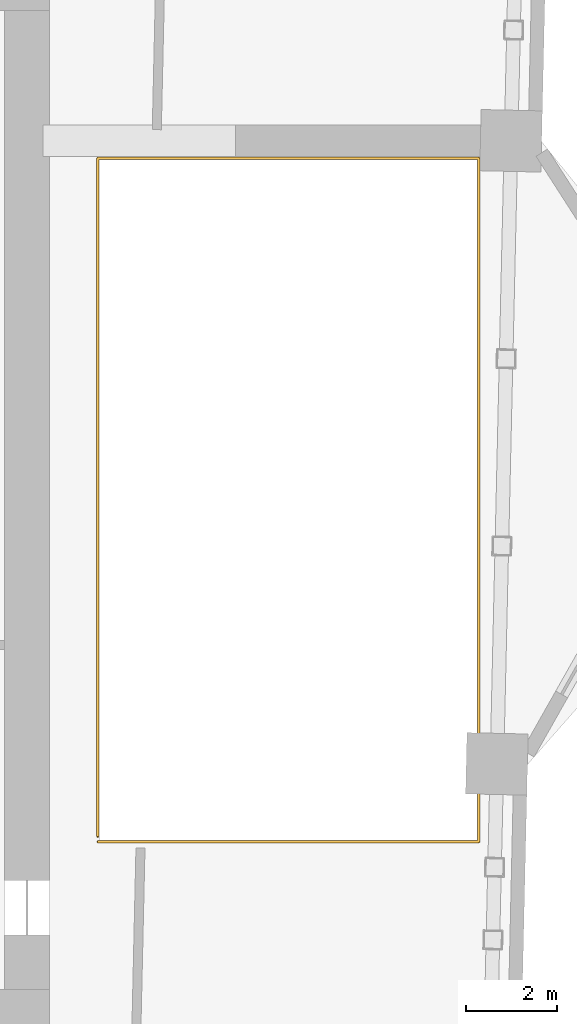
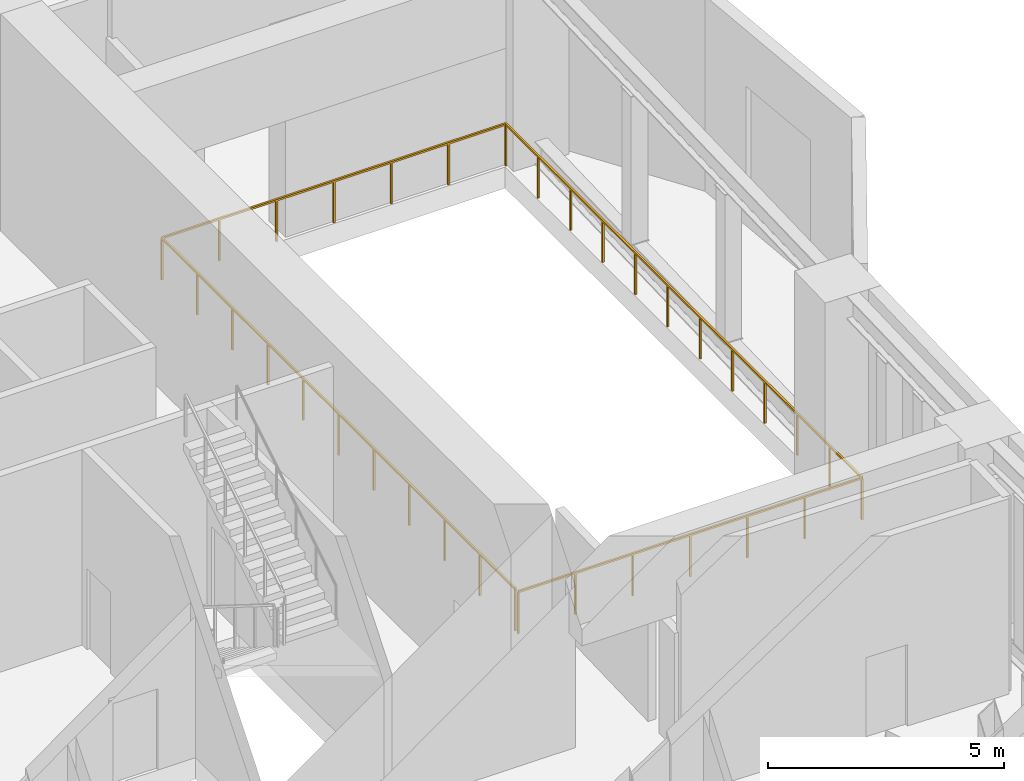
# One storey, part 12 of 13: 1 railing.
"""IFC4 building model written with IfcOpenShell, lengths in metres."""

from ifc_helpers import new_model, si_unit, direction, frame, origin, origin_2d, place, context, subcontext, project, spatial, rectangle, extrude, material, type_object, element, save


model = new_model("IFC4")

# Units and contexts
model_context = context("Model", 3, precision=1e-05, world=origin(), true_north=direction((0.0, 1.0)))
body_context = subcontext(model_context, "Body", "Model", "MODEL_VIEW")
ifc_project = project(units=[si_unit("LENGTHUNIT", "METRE"), si_unit("AREAUNIT", "SQUARE_METRE"), si_unit("VOLUMEUNIT", "CUBIC_METRE"), si_unit("PLANEANGLEUNIT", "RADIAN"), si_unit("MASSUNIT", "GRAM", prefix="KILO")], contexts=[model_context])

# Site, building, storey
site_placement = place(None, origin())
site = spatial("IfcSite", under=ifc_project, at=site_placement, CompositionType="ELEMENT")
building_placement = place(site_placement, origin())
building = spatial("IfcBuilding", under=site, at=building_placement, Name="Mangrove Gate Tower", CompositionType="ELEMENT")
storey_placement = place(building_placement, frame((0.0, 0.0, 119.89990234375)))
storey = spatial("IfcBuildingStorey", under=building, at=storey_placement, Name="L30", CompositionType="ELEMENT", Elevation=119.89990234375)

# Railing
ifc_material = material(Name="Stainless steel grade 316 with laminated glass infill", Category="steel")
railing_type = type_object("IfcRailingType", Name="Balcony guard 1100", PredefinedType="GUARDRAIL", material=ifc_material)
railing_placement = place(storey_placement, frame((15.860107421875, -7.5400390625, 0.0)))
element("IfcRailing", 1, at=railing_placement, inside=storey, type_object=railing_type, Name="GUARD L30 atrium", PredefinedType="GUARDRAIL", context=body_context, shape_type="SweptSolid", body=[
    extrude(rectangle(XDim=0.048095703125, YDim=0.048095703125, at=origin_2d()), frame((0.0, 0.0, 1.076171875), z_axis=(1.0, 0.0, 0.0), x_axis=(0.0, 1.0, 0.0)), (0.0, 0.0, 1.0), 8.406982421875),
    extrude(rectangle(XDim=0.048095703125, YDim=0.048095703125, at=origin_2d()), frame((8.406982421875, 0.0, 1.076171875), z_axis=(0.0, 1.0, 0.0), x_axis=(-1.0, 0.0, 0.0)), (0.0, 0.0, 1.0), 15.080078125),
    extrude(rectangle(XDim=0.048095703125, YDim=0.048095703125, at=origin_2d()), frame((8.406982421875, 15.080078125, 1.076171875), z_axis=(-1.0, 0.0, 0.0), x_axis=(0.0, -1.0, 0.0)), (0.0, 0.0, 1.0), 8.406982421875),
    extrude(rectangle(XDim=0.048095703125, YDim=0.048095703125, at=origin_2d()), frame((0.0, 15.080078125, 1.076171875), z_axis=(0.0, -1.0, 0.0), x_axis=(1.0, 0.0, 0.0)), (0.0, 0.0, 1.0), 14.9599609375),
    extrude(rectangle(XDim=0.0419921875, YDim=0.0419921875, at=origin_2d()), origin(), (0.0, 0.0, 1.0), 1.052001953125),
    extrude(rectangle(XDim=0.0419921875, YDim=0.0419921875, at=origin_2d()), frame((1.401123046875, 0.0, 0.0)), (0.0, 0.0, 1.0), 1.052001953125),
    extrude(rectangle(XDim=0.0419921875, YDim=0.0419921875, at=origin_2d()), frame((2.80224609375, 0.0, 0.0)), (0.0, 0.0, 1.0), 1.052001953125),
    extrude(rectangle(XDim=0.0419921875, YDim=0.0419921875, at=origin_2d()), frame((4.20361328125, 0.0, 0.0)), (0.0, 0.0, 1.0), 1.052001953125),
    extrude(rectangle(XDim=0.0419921875, YDim=0.0419921875, at=origin_2d()), frame((5.604736328125, 0.0, 0.0)), (0.0, 0.0, 1.0), 1.052001953125),
    extrude(rectangle(XDim=0.0419921875, YDim=0.0419921875, at=origin_2d()), frame((7.005859375, 0.0, 0.0)), (0.0, 0.0, 1.0), 1.052001953125),
    extrude(rectangle(XDim=0.0419921875, YDim=0.0419921875, at=origin_2d()), frame((8.406982421875, 0.0, 0.0)), (0.0, 0.0, 1.0), 1.052001953125),
    extrude(rectangle(XDim=0.0419921875, YDim=0.0419921875, at=origin_2d()), frame((8.406982421875, 1.370849609375, 0.0)), (0.0, 0.0, 1.0), 1.052001953125),
    extrude(rectangle(XDim=0.0419921875, YDim=0.0419921875, at=origin_2d()), frame((8.406982421875, 2.741943359375, 0.0)), (0.0, 0.0, 1.0), 1.052001953125),
    extrude(rectangle(XDim=0.0419921875, YDim=0.0419921875, at=origin_2d()), frame((8.406982421875, 4.11279296875, 0.0)), (0.0, 0.0, 1.0), 1.052001953125),
    extrude(rectangle(XDim=0.0419921875, YDim=0.0419921875, at=origin_2d()), frame((8.406982421875, 5.483642578125, 0.0)), (0.0, 0.0, 1.0), 1.052001953125),
    extrude(rectangle(XDim=0.0419921875, YDim=0.0419921875, at=origin_2d()), frame((8.406982421875, 6.8544921875, 0.0)), (0.0, 0.0, 1.0), 1.052001953125),
    extrude(rectangle(XDim=0.0419921875, YDim=0.0419921875, at=origin_2d()), frame((8.406982421875, 8.2255859375, 0.0)), (0.0, 0.0, 1.0), 1.052001953125),
    extrude(rectangle(XDim=0.0419921875, YDim=0.0419921875, at=origin_2d()), frame((8.406982421875, 9.596435546875, 0.0)), (0.0, 0.0, 1.0), 1.052001953125),
    extrude(rectangle(XDim=0.0419921875, YDim=0.0419921875, at=origin_2d()), frame((8.406982421875, 10.96728515625, 0.0)), (0.0, 0.0, 1.0), 1.052001953125),
    extrude(rectangle(XDim=0.0419921875, YDim=0.0419921875, at=origin_2d()), frame((8.406982421875, 12.338134765625, 0.0)), (0.0, 0.0, 1.0), 1.052001953125),
    extrude(rectangle(XDim=0.0419921875, YDim=0.0419921875, at=origin_2d()), frame((8.406982421875, 13.709228515625, 0.0)), (0.0, 0.0, 1.0), 1.052001953125),
    extrude(rectangle(XDim=0.0419921875, YDim=0.0419921875, at=origin_2d()), frame((8.406982421875, 15.080078125, 0.0)), (0.0, 0.0, 1.0), 1.052001953125),
    extrude(rectangle(XDim=0.0419921875, YDim=0.0419921875, at=origin_2d()), frame((7.005859375, 15.080078125, 0.0)), (0.0, 0.0, 1.0), 1.052001953125),
    extrude(rectangle(XDim=0.0419921875, YDim=0.0419921875, at=origin_2d()), frame((5.604736328125, 15.080078125, 0.0)), (0.0, 0.0, 1.0), 1.052001953125),
    extrude(rectangle(XDim=0.0419921875, YDim=0.0419921875, at=origin_2d()), frame((4.20361328125, 15.080078125, 0.0)), (0.0, 0.0, 1.0), 1.052001953125),
    extrude(rectangle(XDim=0.0419921875, YDim=0.0419921875, at=origin_2d()), frame((2.80224609375, 15.080078125, 0.0)), (0.0, 0.0, 1.0), 1.052001953125),
    extrude(rectangle(XDim=0.0419921875, YDim=0.0419921875, at=origin_2d()), frame((1.401123046875, 15.080078125, 0.0)), (0.0, 0.0, 1.0), 1.052001953125),
    extrude(rectangle(XDim=0.0419921875, YDim=0.0419921875, at=origin_2d()), frame((0.0, 15.080078125, 0.0)), (0.0, 0.0, 1.0), 1.052001953125),
    extrude(rectangle(XDim=0.0419921875, YDim=0.0419921875, at=origin_2d()), frame((0.0, 13.583984375, 0.0)), (0.0, 0.0, 1.0), 1.052001953125),
    extrude(rectangle(XDim=0.0419921875, YDim=0.0419921875, at=origin_2d()), frame((0.0, 12.088134765625, 0.0)), (0.0, 0.0, 1.0), 1.052001953125),
    extrude(rectangle(XDim=0.0419921875, YDim=0.0419921875, at=origin_2d()), frame((0.0, 10.592041015625, 0.0)), (0.0, 0.0, 1.0), 1.052001953125),
    extrude(rectangle(XDim=0.0419921875, YDim=0.0419921875, at=origin_2d()), frame((0.0, 9.09619140625, 0.0)), (0.0, 0.0, 1.0), 1.052001953125),
    extrude(rectangle(XDim=0.0419921875, YDim=0.0419921875, at=origin_2d()), frame((0.0, 7.60009765625, 0.0)), (0.0, 0.0, 1.0), 1.052001953125),
    extrude(rectangle(XDim=0.0419921875, YDim=0.0419921875, at=origin_2d()), frame((0.0, 6.10400390625, 0.0)), (0.0, 0.0, 1.0), 1.052001953125),
    extrude(rectangle(XDim=0.0419921875, YDim=0.0419921875, at=origin_2d()), frame((0.0, 4.608154296875, 0.0)), (0.0, 0.0, 1.0), 1.052001953125),
    extrude(rectangle(XDim=0.0419921875, YDim=0.0419921875, at=origin_2d()), frame((0.0, 3.112060546875, 0.0)), (0.0, 0.0, 1.0), 1.052001953125),
    extrude(rectangle(XDim=0.0419921875, YDim=0.0419921875, at=origin_2d()), frame((0.0, 1.6162109375, 0.0)), (0.0, 0.0, 1.0), 1.052001953125),
    extrude(rectangle(XDim=0.0419921875, YDim=0.0419921875, at=origin_2d()), frame((0.0, 0.1201171875, 0.0)), (0.0, 0.0, 1.0), 1.052001953125),
])

save(model, "model.ifc")
